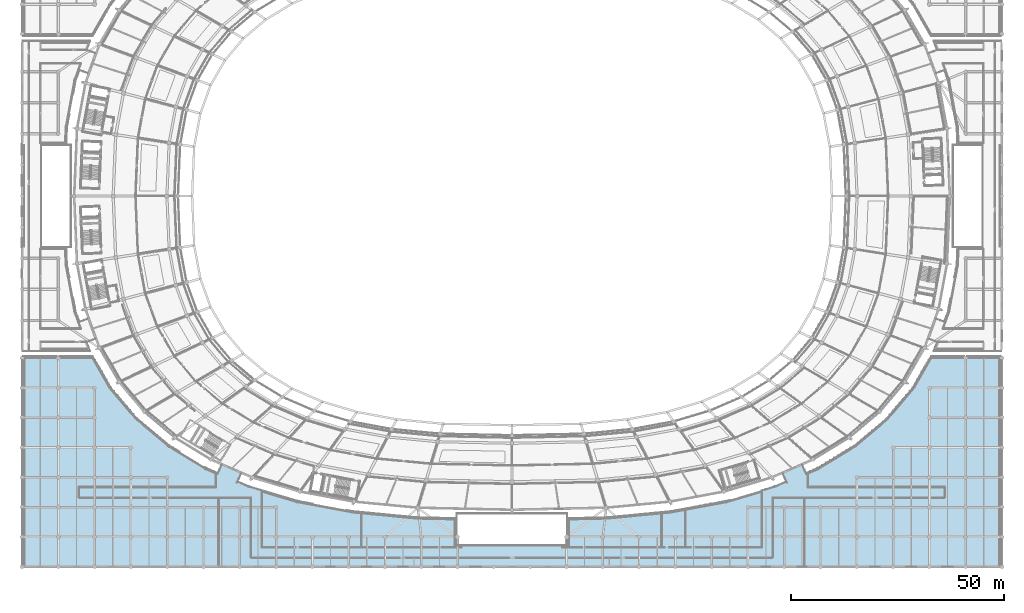
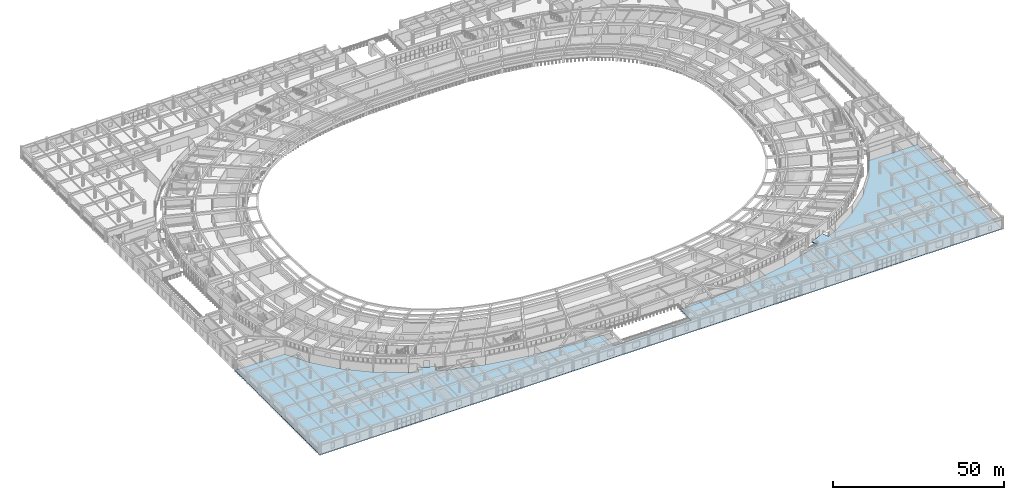
# One storey, part 80 of 145: 1 slab.
"""IFC4 building model written with IfcOpenShell, lengths in metres."""

import ifcopenshell
import ifcopenshell.guid

model = None  # the IFC model being written
_history = None  # IfcOwnerHistory: only IFC2X3 demands one
_inside = {}  # id of a spatial element -> (the spatial element, [elements in it])
_under = {}  # id of a project, library or spatial element -> (it, [spatial elements below it])
_declared = {}  # id of a project -> (the project, [libraries it declares])
_typed = {}  # id of a type object -> (the type object, [elements of that type])
_made_of = {}  # id of a material, layer set ... -> (it, [elements and type objects made of it])


def new_model(schema):
    """Start an empty IFC model of exactly this schema.

    Asked for "IFC4X3", IfcOpenShell would pick the latest addendum, in which some entities
    have other attributes; the version numbers below select the first issue.
    IFC2X3 requires an IfcOwnerHistory on every rooted entity: one is made here for all.
    """
    global model, _history
    if schema == "IFC4X3":
        model = ifcopenshell.file(schema_version=(4, 3, 0, 0))
    else:
        model = ifcopenshell.file(schema=schema)
    _inside.clear()
    _under.clear()
    _declared.clear()
    _typed.clear()
    _made_of.clear()
    _history = None
    if model.schema == "IFC2X3":
        org = make("IfcOrganization", Name="unknown")
        user = make(
            "IfcPersonAndOrganization",
            ThePerson=make("IfcPerson", FamilyName="unknown"),
            TheOrganization=org,
        )
        app = make(
            "IfcApplication",
            ApplicationDeveloper=org,
            Version="unknown",
            ApplicationFullName="unknown",
            ApplicationIdentifier="unknown",
        )
        _history = make(
            "IfcOwnerHistory",
            OwningUser=user,
            OwningApplication=app,
            ChangeAction="ADDED",
            CreationDate=0,
        )
    return model


def make(cls, **values):
    """One entity of the class cls with the attributes given. An attribute that is None is left unset."""
    return model.create_entity(
        cls, **{name: value for name, value in values.items() if value is not None}
    )


def rooted(cls, **values):
    """An entity with a GlobalId (a new one), such as an element, a storey or a relation."""
    return make(cls, GlobalId=ifcopenshell.guid.new(), OwnerHistory=_history, **values)


def si_unit(unit_type, name, prefix=None):
    """IfcSIUnit, for example si_unit("LENGTHUNIT", "METRE", prefix="MILLI")."""
    return make("IfcSIUnit", UnitType=unit_type, Prefix=prefix, Name=name)


def assignment(units):
    """IfcUnitAssignment: the units of a project."""
    return None if units is None else make("IfcUnitAssignment", Units=units)


def point(xyz):
    """IfcCartesianPoint."""
    return None if xyz is None else make("IfcCartesianPoint", Coordinates=xyz)


def direction(xyz):
    """IfcDirection."""
    return None if xyz is None else make("IfcDirection", DirectionRatios=xyz)


def frame(location, z_axis=None, x_axis=None):
    """IfcAxis2Placement3D, a coordinate frame: its origin and axes. An axis left out is left unset."""
    return make(
        "IfcAxis2Placement3D",
        Location=point(location),
        Axis=direction(z_axis),
        RefDirection=direction(x_axis),
    )


def origin():
    """The frame at (0, 0, 0) with its axes left unset."""
    return frame((0.0, 0.0, 0.0))


def place(relative_to, where):
    """IfcLocalPlacement: puts the frame where relative to a parent placement (None: the world)."""
    return make(
        "IfcLocalPlacement", PlacementRelTo=relative_to, RelativePlacement=where
    )


def context(
    kind, dimensions, precision=None, world=None, true_north=None, identifier=None
):
    """IfcGeometricRepresentationContext, for example the 3D "Model" context."""
    return make(
        "IfcGeometricRepresentationContext",
        ContextIdentifier=identifier,
        ContextType=kind,
        CoordinateSpaceDimension=dimensions,
        Precision=precision,
        WorldCoordinateSystem=world,
        TrueNorth=true_north,
    )


def subcontext(parent, identifier, kind, view, scale=None):
    """IfcGeometricRepresentationSubContext, for example "Body" below "Model"."""
    return make(
        "IfcGeometricRepresentationSubContext",
        ContextIdentifier=identifier,
        ContextType=kind,
        ParentContext=parent,
        TargetScale=scale,
        TargetView=view,
    )


def project(units=None, contexts=None):
    """IfcProject with its units and contexts."""
    return rooted(
        "IfcProject",
        Name="project",
        RepresentationContexts=contexts,
        UnitsInContext=assignment(units),
    )


def spatial(cls, under=None, at=None, **own):
    """A site, building, storey or space (cls), placed at a placement, below another one or the project."""
    s = rooted(cls, ObjectPlacement=at, **own)
    if under is not None:
        _under.setdefault(under.id(), (under, []))[1].append(s)
    return s


def polyline(points):
    """IfcPolyline through the points."""
    return make("IfcPolyline", Points=[point(p) for p in points])


def outline(outer, holes=None, kind="AREA"):
    """IfcArbitraryClosedProfileDef: a profile drawn as a closed curve; with holes, ...WithVoids."""
    if holes is None:
        return make("IfcArbitraryClosedProfileDef", ProfileType=kind, OuterCurve=outer)
    return make(
        "IfcArbitraryProfileDefWithVoids",
        ProfileType=kind,
        OuterCurve=outer,
        InnerCurves=holes,
    )


def extrude(swept, where, along, depth):
    """IfcExtrudedAreaSolid: the profile swept, set in the frame where, extruded along a direction by depth."""
    return make(
        "IfcExtrudedAreaSolid",
        SweptArea=swept,
        Position=where,
        ExtrudedDirection=direction(along),
        Depth=depth,
    )


def shape(context_of_items, identifier, shape_type, items):
    """IfcShapeRepresentation: the items that make up one representation, for example the "Body"."""
    return make(
        "IfcShapeRepresentation",
        ContextOfItems=context_of_items,
        RepresentationIdentifier=identifier,
        RepresentationType=shape_type,
        Items=items,
    )


def material(Name=None, Category=None):
    """IfcMaterial."""
    return make("IfcMaterial", Name=Name, Category=Category)


def layer(
    of_material, thickness, ventilated=None, Name=None, Category=None, Priority=None
):
    """IfcMaterialLayer: one layer of a wall or slab, of a material (None: an air gap)."""
    return make(
        "IfcMaterialLayer",
        Material=of_material,
        LayerThickness=thickness,
        IsVentilated=ventilated,
        Name=Name,
        Category=Category,
        Priority=Priority,
    )


def layer_set(layers, Name=None):
    """IfcMaterialLayerSet."""
    return make("IfcMaterialLayerSet", MaterialLayers=layers, LayerSetName=Name)


def made_of(thing, what):
    """Note that an element or type object is made of a material, layer set ...; save() writes the relation."""
    if what is not None:
        _made_of.setdefault(what.id(), (what, []))[1].append(thing)
    return thing


def type_object(cls, material=None, **own):
    """A type object (cls), such as IfcWallType, which elements share."""
    return made_of(rooted(cls, **own), material)


def element(
    cls,
    number,
    at=None,
    inside=None,
    cuts=None,
    type_object=None,
    material=None,
    context=None,
    identifier="Body",
    shape_type=None,
    held_by="IfcProductDefinitionShape",
    body=None,
    shapes=None,
    **own,
):
    """One element of the class cls, such as IfcWall. Its Tag is "e" and its number.

    at: its placement. inside: the storey or other place that contains it. cuts: it is an
    opening in that element (IfcRelVoidsElement). A single representation is given by context,
    identifier, shape_type and body (its items); several are given by shapes. held_by: the class
    of the entity that holds the representations. save() writes the other relations.
    """
    e = rooted(cls, Tag="e%d" % number, ObjectPlacement=at, **own)
    if body is not None:
        shapes = [shape(context, identifier, shape_type, body)]
    if shapes is not None:
        e.Representation = make(held_by, Representations=shapes)
    if inside is not None:
        _inside.setdefault(inside.id(), (inside, []))[1].append(e)
    if cuts is not None:
        rooted(
            "IfcRelVoidsElement", RelatingBuildingElement=cuts, RelatedOpeningElement=e
        )
    if type_object is not None:
        _typed.setdefault(type_object.id(), (type_object, []))[1].append(e)
    return made_of(e, material)


def aggregate(whole, parts):
    """IfcRelAggregates: a whole, such as a stair, and the parts it consists of."""
    return rooted("IfcRelAggregates", RelatingObject=whole, RelatedObjects=parts)


def save(model, path):
    """Write the relations noted so far, then the file.

    IfcRelAggregates (storeys below a building ...), IfcRelContainedInSpatialStructure (elements
    in a storey), IfcRelDefinesByType, IfcRelAssociatesMaterial and IfcRelDeclares: one each for
    every whole, place, type object, material and project.
    """
    for whole, parts in _under.values():
        aggregate(whole, parts)
    for where, things in _inside.values():
        rooted(
            "IfcRelContainedInSpatialStructure",
            RelatedElements=things,
            RelatingStructure=where,
        )
    for kind, things in _typed.values():
        rooted("IfcRelDefinesByType", RelatedObjects=things, RelatingType=kind)
    for what, things in _made_of.values():
        rooted("IfcRelAssociatesMaterial", RelatedObjects=things, RelatingMaterial=what)
    for by, libraries in _declared.values():
        rooted("IfcRelDeclares", RelatingContext=by, RelatedDefinitions=libraries)
    model.write(path)


model = new_model("IFC4")

# Units and contexts
model_context = context("Model", 3, precision=1e-05, world=origin(), true_north=direction((0.0, 1.0)))
body_context = subcontext(model_context, "Body", "Model", "MODEL_VIEW")
ifc_project = project(units=[si_unit("LENGTHUNIT", "METRE"), si_unit("AREAUNIT", "SQUARE_METRE"), si_unit("VOLUMEUNIT", "CUBIC_METRE"), si_unit("PLANEANGLEUNIT", "RADIAN"), si_unit("MASSUNIT", "GRAM", prefix="KILO")], contexts=[model_context])

# Site, building, storey
site_placement = place(None, origin())
site = spatial("IfcSite", under=ifc_project, at=site_placement, CompositionType="ELEMENT")
building_placement = place(site_placement, origin())
building = spatial("IfcBuilding", under=site, at=building_placement, Name="Mphavela Belvedere Stadium", CompositionType="ELEMENT")
storey_placement = place(building_placement, frame((0.0, 0.0, 10.199951171875)))
storey = spatial("IfcBuildingStorey", under=building, at=storey_placement, Name="L02", CompositionType="ELEMENT", Elevation=10.199951171875)

# Slab
ifc_material = material(Name="Concrete C40/50", Category="concrete")
ifc_layer = layer(ifc_material, 0.260009765625)
ifc_layer_set = layer_set([ifc_layer], Name="Concrete C40/50")
slab_type = type_object("IfcSlabType", Name="SLB-PAVILION-260", PredefinedType="FLOOR", material=ifc_layer_set)
slab_placement = place(storey_placement, frame((0.0, 0.0, -0.260009765625)))
element("IfcSlab", 1, at=slab_placement, inside=storey, type_object=slab_type, Name="South Axial Triumphal Peristyle Portico floor slab L02-1", PredefinedType="FLOOR", context=body_context, shape_type="SweptSolid", body=[
    extrude(outline(polyline([(16.653564453125, 49.5), (20.852783203125, 42.2373046875), (20.957763671875, 42.0732421875), (21.07666015625, 41.919189453125), (26.980712890625, 34.927001953125), (27.106201171875, 34.79052734375), (27.242919921875, 34.6650390625), (34.425537109375, 28.60400390625), (34.5595703125, 28.499755859375), (34.700927734375, 28.406005859375), (43.160400390625, 23.259521484375), (43.4287109375, 23.12060546875), (45.922607421875, 22.03955078125), (46.797607421875, 24.05810546875), (51.568603515625, 21.98974609375), (50.693603515625, 19.97119140625), (53.1875, 18.89013671875), (53.436279296875, 18.7998046875), (64.57275390625, 15.494140625), (64.7958984375, 15.440185546875), (77.5244140625, 13.06982421875), (77.718505859375, 13.04248046875), (92.676513671875, 11.6162109375), (92.837890625, 11.606689453125), (102.0, 11.409423828125), (102.0, 5.0), (128.0, 5.0), (128.0, 11.409423828125), (137.162109375, 11.606689453125), (137.323486328125, 11.6162109375), (152.281494140625, 13.04248046875), (152.4755859375, 13.06982421875), (165.2041015625, 15.440185546875), (165.42724609375, 15.494140625), (176.563720703125, 18.7998046875), (176.8125, 18.89013671875), (179.306396484375, 19.97119140625), (178.431396484375, 21.98974609375), (183.202392578125, 24.05810546875), (184.077392578125, 22.03955078125), (186.5712890625, 23.12060546875), (186.839599609375, 23.259521484375), (195.299072265625, 28.406005859375), (195.4404296875, 28.499755859375), (195.574462890625, 28.60400390625), (202.757080078125, 34.6650390625), (202.893798828125, 34.79052734375), (203.019287109375, 34.927001953125), (208.92333984375, 41.919189453125), (209.042236328125, 42.0732421875), (209.147216796875, 42.2373046875), (213.346435546875, 49.5), (230.0, 49.5), (230.0, 0.0), (0.0, 0.0), (0.0, 49.5), (16.653564453125, 49.5)])), origin(), (0.0, 0.0, 1.0), 0.260009765625),
])

save(model, "model.ifc")
